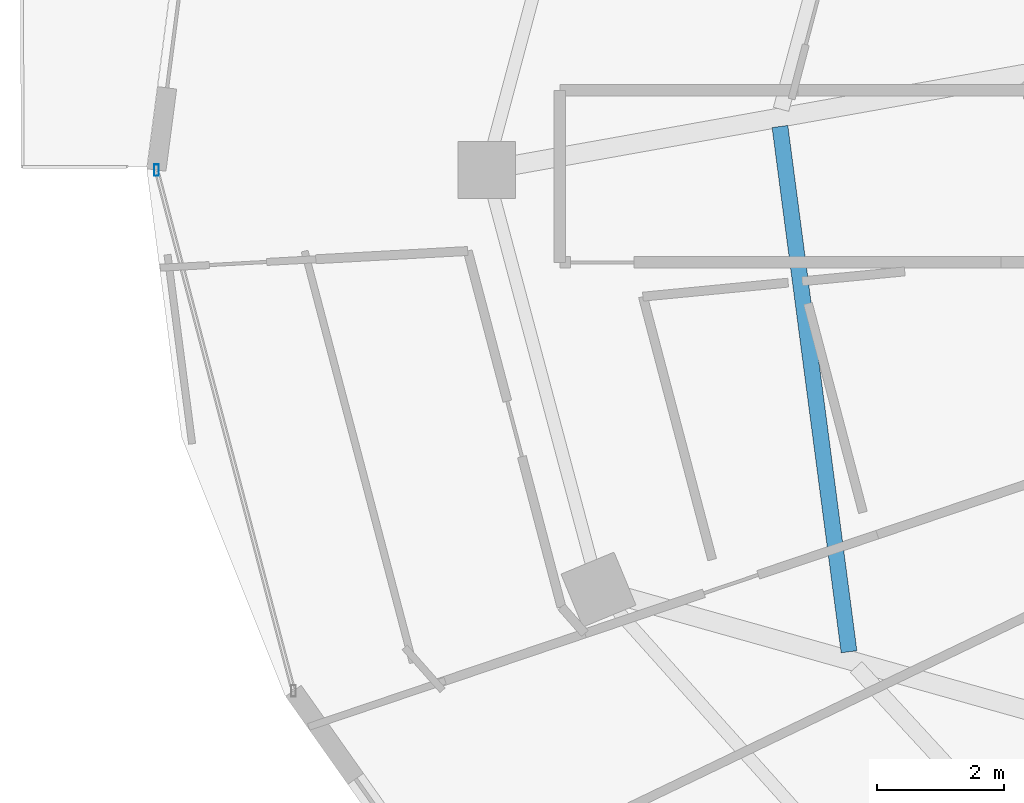
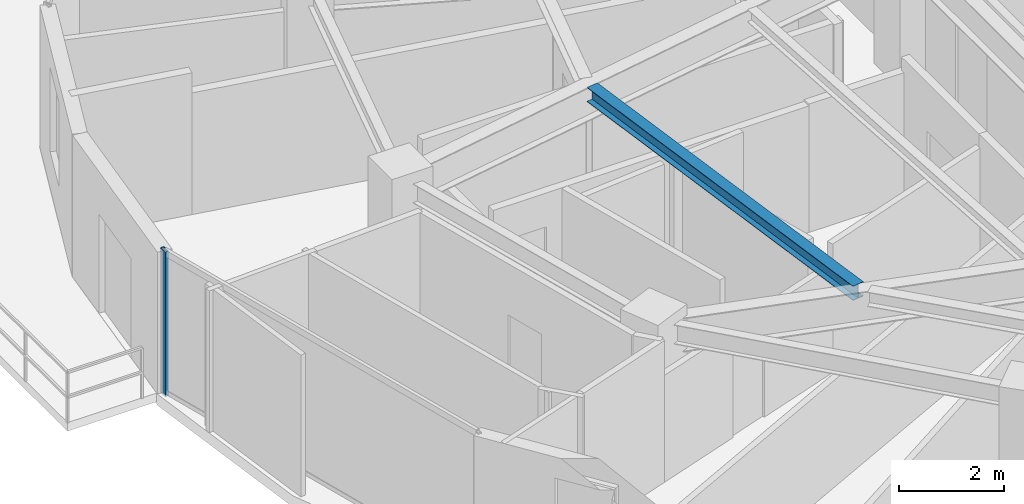
# One storey, part 7 of 34: 1 beam, 1 member, 1 element without a shape of its own.
"""IFC4 building model written with IfcOpenShell, lengths in metres."""

from ifc_helpers import new_model, si_unit, direction, frame, origin, origin_2d, place, context, subcontext, project, spatial, hollow_rectangle, i_section, extrude, material, material_profile, profile_set, type_object, element, aggregate, save


model = new_model("IFC4")

# Units and contexts
model_context = context("Model", 3, precision=1e-05, world=origin(), true_north=direction((0.0, 1.0)))
body_context = subcontext(model_context, "Body", "Model", "MODEL_VIEW")
ifc_project = project(units=[si_unit("LENGTHUNIT", "METRE"), si_unit("AREAUNIT", "SQUARE_METRE"), si_unit("VOLUMEUNIT", "CUBIC_METRE"), si_unit("PLANEANGLEUNIT", "RADIAN"), si_unit("MASSUNIT", "GRAM", prefix="KILO")], contexts=[model_context])

# Site, building, storey
site_placement = place(None, origin())
site = spatial("IfcSite", under=ifc_project, at=site_placement, CompositionType="ELEMENT")
building_placement = place(site_placement, origin())
building = spatial("IfcBuilding", under=site, at=building_placement, Name="Vorneva Point Tower", CompositionType="ELEMENT")
storey_placement = place(building_placement, frame((0.0, 0.0, 214.300048828125)))
storey = spatial("IfcBuildingStorey", under=building, at=storey_placement, Name="L58", CompositionType="ELEMENT", Elevation=214.300048828125)

# Beam
ifc_material_1 = material(Name="Steel S355", Category="steel")
ifc_material_profile_1 = material_profile(ifc_material_1, i_section(OverallWidth=0.2490234375, OverallDepth=0.333984375, WebThickness=0.008056640625, FlangeThickness=0.010986328125, at=origin_2d()), Name="35Sh1")
ifc_profile_set_1 = profile_set([ifc_material_profile_1], Name="Steel S355")
beam_type = type_object("IfcBeamType", Name="BM-SEC-35Sh1", PredefinedType="BEAM", material=ifc_profile_set_1)
beam_placement = place(storey_placement, frame((19.551513671875, 26.68310546875, 3.123046875), z_axis=(0.130373961087, -0.991464891093, 0.0), x_axis=(0.991464891093, 0.130373961087, 0.0)))
element("IfcBeam", 1, at=beam_placement, inside=storey, type_object=beam_type, Name="L58 Secondary Floor Beam 1.09", PredefinedType="BEAM", context=body_context, shape_type="SweptSolid", body=[
    extrude(i_section(OverallWidth=0.2490234375, OverallDepth=0.333984375, WebThickness=0.008056640625, FlangeThickness=0.010986328125, at=origin_2d()), origin(), (0.0, 0.0, 1.0), 8.310791015625),
])

# Curtain wall, member
ifc_material_2 = material(Name="Pale anodised aluminium", Category="aluminium")
curtain_wall_type = type_object("IfcCurtainWallType", Name="CW-RES-SYS", PredefinedType="NOTDEFINED", material=ifc_material_2)
curtain_wall_placement = place(storey_placement, origin())
curtain_wall = element("IfcCurtainWall", 2, at=curtain_wall_placement, inside=storey, type_object=curtain_wall_type, Name="L58 Unitised Curtain Wall CW-L58-R03", PredefinedType="NOTDEFINED")
ifc_material_profile_2 = material_profile(ifc_material_2, hollow_rectangle(XDim=0.074951171875, YDim=0.179931640625, WallThickness=0.00390625, at=origin_2d()), Name="AL-MUL 180x75x4")
ifc_profile_set_2 = profile_set([ifc_material_profile_2], Name="Pale anodised aluminium")
member_type = type_object("IfcMemberType", Name="CW-MUL-180", PredefinedType="MULLION", material=ifc_profile_set_2)
member_placement = place(storey_placement, frame((9.77001953125, 26.0, -0.0400390625), z_axis=(0.0, 0.0, 1.0), x_axis=(1.0, 0.0, 0.0)))
member = element("IfcMember", 3, at=member_placement, type_object=member_type, Name="CW-L58-R03 Mullion 01", PredefinedType="MULLION", context=body_context, shape_type="SweptSolid", body=[
    extrude(hollow_rectangle(XDim=0.074951171875, YDim=0.179931640625, WallThickness=0.00390625, at=origin_2d()), origin(), (0.0, 0.0, 1.0), 3.360107421875),
])
aggregate(curtain_wall, [member])

save(model, "model.ifc")
